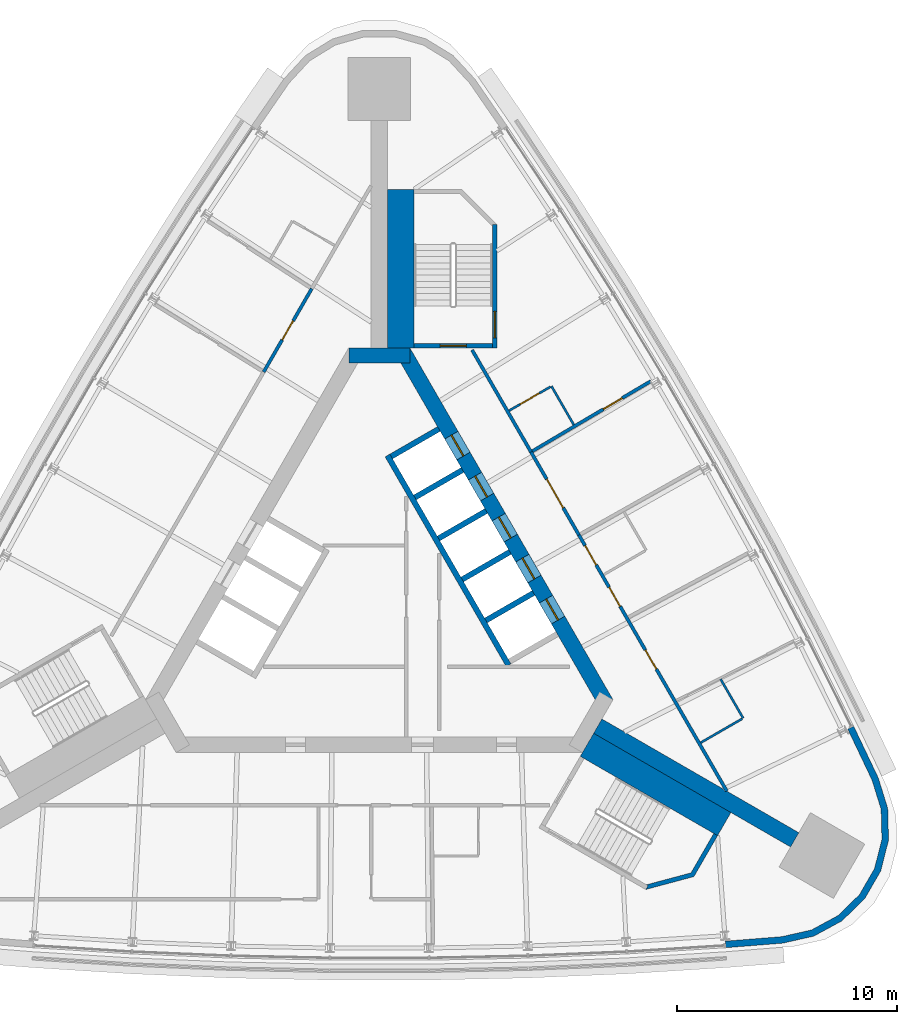
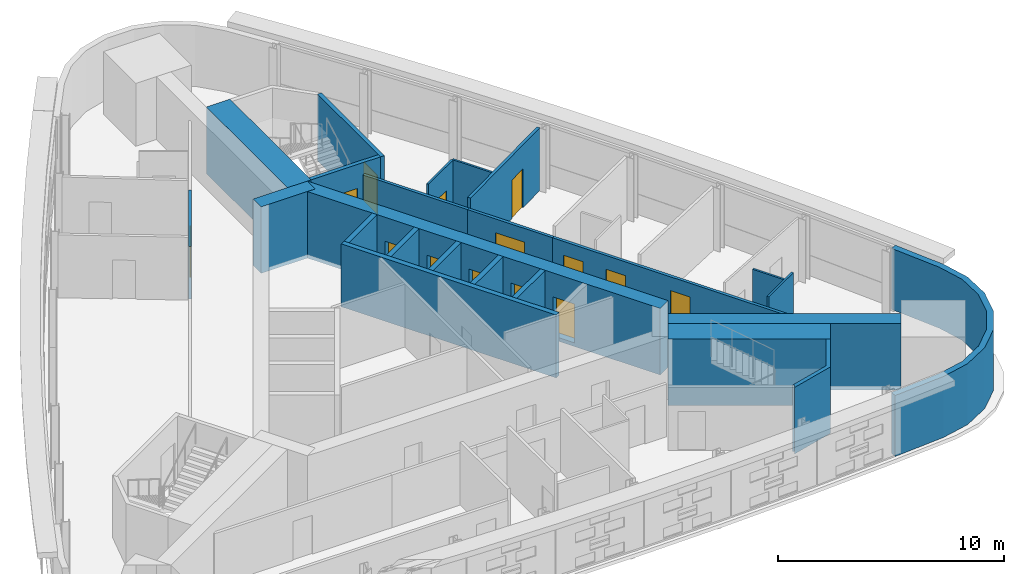
# One storey, part 9 of 12: 24 walls, 14 doors, 14 openings.
"""IFC4 building model written with IfcOpenShell, lengths in metres."""

from ifc_helpers import new_model, si_unit, direction, frame, frame_2d, origin, place, context, subcontext, project, spatial, polyline, rectangle, outline, extrude, material, layer, layer_set, type_object, element, fill, save


model = new_model("IFC4")

# Units and contexts
model_context = context("Model", 3, precision=1e-05, world=origin(), true_north=direction((0.0, 1.0)))
body_context = subcontext(model_context, "Body", "Model", "MODEL_VIEW")
ifc_project = project(units=[si_unit("LENGTHUNIT", "METRE"), si_unit("AREAUNIT", "SQUARE_METRE"), si_unit("VOLUMEUNIT", "CUBIC_METRE"), si_unit("PLANEANGLEUNIT", "RADIAN"), si_unit("MASSUNIT", "GRAM", prefix="KILO")], contexts=[model_context])

# Site, building, storey
site_placement = place(None, origin())
site = spatial("IfcSite", under=ifc_project, at=site_placement, CompositionType="ELEMENT")
building_placement = place(site_placement, origin())
building = spatial("IfcBuilding", under=site, at=building_placement, Name="Noor Cloister Tower", CompositionType="ELEMENT")
storey_placement = place(building_placement, frame((0.0, 0.0, 158.10009765625)))
storey = spatial("IfcBuildingStorey", under=building, at=storey_placement, Name="L40", CompositionType="ELEMENT", Elevation=158.10009765625)

# Wall
ifc_material_1 = material(Name="Concrete C70/85", Category="concrete")
ifc_layer_1 = layer(ifc_material_1, 0.75)
ifc_layer_set_1 = layer_set([ifc_layer_1], Name="Buttress wall 750 C70/85")
wall_type_1 = type_object("IfcWallType", Name="Buttress wall 750 C70/85", PredefinedType="SHEAR", material=ifc_layer_set_1)
wall_1_placement = place(storey_placement, frame((9.921630859375, -5.728271484375, -0.2001953125), z_axis=(0.0, 0.0, 1.0), x_axis=(0.866025410072, -0.499999989109, 0.0)))
element("IfcWall", 1, at=wall_1_placement, inside=storey, type_object=wall_type_1, Name="Buttress wall SE L40", PredefinedType="SHEAR", context=body_context, shape_type="SweptSolid", body=[
    extrude(rectangle(XDim=10.33056640625, YDim=0.75, at=frame_2d((5.165283203125, 0.0))), origin(), (0.0, 0.0, 1.0), 3.60009765625),
])

# Wall, openings, doors
ifc_material_2 = material(Name="Concrete C70/85", Category="concrete")
ifc_layer_2 = layer(ifc_material_2, 0.699951171875)
ifc_layer_set_2 = layer_set([ifc_layer_2], Name="Core wall 700 C70/85")
wall_type_2 = type_object("IfcWallType", Name="Core wall 700 C70/85", PredefinedType="SHEAR", material=ifc_layer_set_2)
wall_2_placement = place(storey_placement, frame((10.311279296875, -4.703125, -0.2001953125), z_axis=(0.0, 0.0, 1.0), x_axis=(-0.500001446645, 0.866024568562, 0.0)))
wall_2 = element("IfcWall", 2, at=wall_2_placement, inside=storey, type_object=wall_type_2, Name="Core wall L40 3", PredefinedType="SHEAR", context=body_context, shape_type="SweptSolid", body=[
    extrude(rectangle(XDim=18.45751953125, YDim=0.699951171875, at=frame_2d((9.228759765625, 0.0))), origin(), (0.0, 0.0, 1.0), 3.60009765625),
])
opening_1_placement = place(wall_2_placement, frame((4.378662109375, 0.0, 0.199951171875)))
opening_1 = element("IfcOpeningElement", 3, at=opening_1_placement, cuts=wall_2, Name="Opening L40-HR1", PredefinedType="OPENING", context=body_context, shape_type="SweptSolid", body=[
    extrude(rectangle(XDim=1.10009765625, YDim=2.10009765625, at=frame_2d((0.550048828125, 1.050048828125))), frame((0.0, 0.35986328125, 0.0), z_axis=(0.0, -1.0, 0.0), x_axis=(1.0, 0.0, 0.0)), (0.0, 0.0, 1.0), 0.719970703125),
])
opening_2_placement = place(wall_2_placement, frame((6.52880859375, 0.0, 0.199951171875)))
opening_2 = element("IfcOpeningElement", 4, at=opening_2_placement, cuts=wall_2, Name="Opening L40-HR2", PredefinedType="OPENING", context=body_context, shape_type="SweptSolid", body=[
    extrude(rectangle(XDim=1.10009765625, YDim=2.10009765625, at=frame_2d((0.550048828125, 1.050048828125))), frame((0.0, 0.35986328125, 0.0), z_axis=(0.0, -1.0, 0.0), x_axis=(1.0, 0.0, 0.0)), (0.0, 0.0, 1.0), 0.719970703125),
])
opening_3_placement = place(wall_2_placement, frame((8.6787109375, 0.0, 0.199951171875)))
opening_3 = element("IfcOpeningElement", 5, at=opening_3_placement, cuts=wall_2, Name="Opening L40-HR3", PredefinedType="OPENING", context=body_context, shape_type="SweptSolid", body=[
    extrude(rectangle(XDim=1.10009765625, YDim=2.10009765625, at=frame_2d((0.550048828125, 1.050048828125))), frame((0.0, 0.35986328125, 0.0), z_axis=(0.0, -1.0, 0.0), x_axis=(1.0, 0.0, 0.0)), (0.0, 0.0, 1.0), 0.719970703125),
])
opening_4_placement = place(wall_2_placement, frame((10.82861328125, 0.0, 0.199951171875)))
opening_4 = element("IfcOpeningElement", 6, at=opening_4_placement, cuts=wall_2, Name="Opening L40-HR4", PredefinedType="OPENING", context=body_context, shape_type="SweptSolid", body=[
    extrude(rectangle(XDim=1.10009765625, YDim=2.10009765625, at=frame_2d((0.550048828125, 1.050048828125))), frame((0.0, 0.35986328125, 0.0), z_axis=(0.0, -1.0, 0.0), x_axis=(1.0, 0.0, 0.0)), (0.0, 0.0, 1.0), 0.719970703125),
])
opening_5_placement = place(wall_2_placement, frame((12.978759765625, 0.0, 0.199951171875)))
opening_5 = element("IfcOpeningElement", 7, at=opening_5_placement, cuts=wall_2, Name="Opening L40-HR5", PredefinedType="OPENING", context=body_context, shape_type="SweptSolid", body=[
    extrude(rectangle(XDim=1.10009765625, YDim=2.10009765625, at=frame_2d((0.550048828125, 1.050048828125))), frame((0.0, 0.35986328125, 0.0), z_axis=(0.0, -1.0, 0.0), x_axis=(1.0, 0.0, 0.0)), (0.0, 0.0, 1.0), 0.719970703125),
])
ifc_material_3 = material(Name="Stainless steel", Category="steel")
door_type_1 = type_object("IfcDoorType", Name="Lift landing door 1100 x 2100", OperationType="DOUBLE_DOOR_SLIDING", PredefinedType="DOOR", material=ifc_material_3)
door_1_placement = place(opening_1_placement, origin())
door_1 = element("IfcDoor", 8, at=door_1_placement, inside=storey, type_object=door_type_1, Name="Landing door HR1 L40", OperationType="DOUBLE_DOOR_SLIDING", OverallHeight=2.10009765625, OverallWidth=1.10009765625, PredefinedType="DOOR", context=body_context, shape_type="SweptSolid", body=[
    extrude(rectangle(XDim=1.10009765625, YDim=2.10009765625, at=frame_2d((0.550048828125, 1.050048828125))), frame((0.0, 0.02490234375, 0.0), z_axis=(0.0, -1.0, 0.0), x_axis=(1.0, 0.0, 0.0)), (0.0, 0.0, 1.0), 0.050048828125),
])
fill(opening_1, door_1)
door_2_placement = place(opening_2_placement, origin())
door_2 = element("IfcDoor", 9, at=door_2_placement, inside=storey, type_object=door_type_1, Name="Landing door HR2 L40", OperationType="DOUBLE_DOOR_SLIDING", OverallHeight=2.10009765625, OverallWidth=1.10009765625, PredefinedType="DOOR", context=body_context, shape_type="SweptSolid", body=[
    extrude(rectangle(XDim=1.10009765625, YDim=2.10009765625, at=frame_2d((0.550048828125, 1.050048828125))), frame((0.0, 0.02490234375, 0.0), z_axis=(0.0, -1.0, 0.0), x_axis=(1.0, 0.0, 0.0)), (0.0, 0.0, 1.0), 0.050048828125),
])
fill(opening_2, door_2)
door_3_placement = place(opening_3_placement, origin())
door_3 = element("IfcDoor", 10, at=door_3_placement, inside=storey, type_object=door_type_1, Name="Landing door HR3 L40", OperationType="DOUBLE_DOOR_SLIDING", OverallHeight=2.10009765625, OverallWidth=1.10009765625, PredefinedType="DOOR", context=body_context, shape_type="SweptSolid", body=[
    extrude(rectangle(XDim=1.10009765625, YDim=2.10009765625, at=frame_2d((0.550048828125, 1.050048828125))), frame((0.0, 0.02490234375, 0.0), z_axis=(0.0, -1.0, 0.0), x_axis=(1.0, 0.0, 0.0)), (0.0, 0.0, 1.0), 0.050048828125),
])
fill(opening_3, door_3)
door_4_placement = place(opening_4_placement, origin())
door_4 = element("IfcDoor", 11, at=door_4_placement, inside=storey, type_object=door_type_1, Name="Landing door HR4 L40", OperationType="DOUBLE_DOOR_SLIDING", OverallHeight=2.10009765625, OverallWidth=1.10009765625, PredefinedType="DOOR", context=body_context, shape_type="SweptSolid", body=[
    extrude(rectangle(XDim=1.10009765625, YDim=2.10009765625, at=frame_2d((0.550048828125, 1.050048828125))), frame((0.0, 0.02490234375, 0.0), z_axis=(0.0, -1.0, 0.0), x_axis=(1.0, 0.0, 0.0)), (0.0, 0.0, 1.0), 0.050048828125),
])
fill(opening_4, door_4)
door_5_placement = place(opening_5_placement, origin())
door_5 = element("IfcDoor", 12, at=door_5_placement, inside=storey, type_object=door_type_1, Name="Landing door HR5 L40", OperationType="DOUBLE_DOOR_SLIDING", OverallHeight=2.10009765625, OverallWidth=1.10009765625, PredefinedType="DOOR", context=body_context, shape_type="SweptSolid", body=[
    extrude(rectangle(XDim=1.10009765625, YDim=2.10009765625, at=frame_2d((0.550048828125, 1.050048828125))), frame((0.0, 0.02490234375, 0.0), z_axis=(0.0, -1.0, 0.0), x_axis=(1.0, 0.0, 0.0)), (0.0, 0.0, 1.0), 0.050048828125),
])
fill(opening_5, door_5)

# Wall
wall_3_placement = place(storey_placement, frame((1.3857421875, 11.1064453125, -0.2001953125), z_axis=(0.0, 0.0, 1.0), x_axis=(-1.0, 0.0, 0.0)))
element("IfcWall", 13, at=wall_3_placement, inside=storey, type_object=wall_type_2, Name="Core wall L40 4", PredefinedType="SHEAR", context=body_context, shape_type="SweptSolid", body=[
    extrude(rectangle(XDim=2.771484375, YDim=0.699951171875, at=frame_2d((1.3857421875, 0.0))), origin(), (0.0, 0.0, 1.0), 3.60009765625),
])

# Wall, opening, door
ifc_material_4 = material(Name="Fire-rated gypsum board partition on steel studs, 150 mm", Category="steel")
ifc_layer_3 = layer(ifc_material_4, 0.14990234375)
ifc_layer_set_3 = layer_set([ifc_layer_3], Name="Fire lobby wall 150")
wall_type_3 = type_object("IfcWallType", Name="Fire lobby wall 150", PredefinedType="PARTITIONING", material=ifc_layer_set_3)
wall_4_placement = place(storey_placement, frame((-3.06884765625, 14.140869140625, 0.0), z_axis=(0.0, 0.0, 1.0), x_axis=(-0.500015937133, -0.866016202281, 0.0)))
wall_4 = element("IfcWall", 14, at=wall_4_placement, inside=storey, type_object=wall_type_3, Name="Wall L40-W28", PredefinedType="PARTITIONING", context=body_context, shape_type="SweptSolid", body=[
    extrude(rectangle(XDim=4.368408203125, YDim=0.14990234375, at=frame_2d((2.18408203125, 0.0))), origin(), (0.0, 0.0, 1.0), 2.846923828125),
])
opening_6_placement = place(wall_4_placement, frame((1.684326171875, 0.0, 0.0)))
opening_6 = element("IfcOpeningElement", 15, at=opening_6_placement, cuts=wall_4, Name="Opening L40-016", PredefinedType="OPENING", context=body_context, shape_type="SweptSolid", body=[
    extrude(rectangle(XDim=1.0, YDim=2.10009765625, at=frame_2d((0.5, 1.050048828125))), frame((0.0, 0.0849609375, 0.0), z_axis=(0.0, -1.0, 0.0), x_axis=(1.0, 0.0, 0.0)), (0.0, 0.0, 1.0), 0.169921875),
])
ifc_material_5 = material(Name="Timber door leaf with steel frame", Category="steel")
door_type_2 = type_object("IfcDoorType", Name="Fire lobby door 1000", OperationType="NOTDEFINED", PredefinedType="DOOR", material=ifc_material_5)
door_6_placement = place(opening_6_placement, origin())
door_6 = element("IfcDoor", 16, at=door_6_placement, inside=storey, type_object=door_type_2, Name="Door L40-016", OperationType="SINGLE_SWING_RIGHT", OverallHeight=2.10009765625, OverallWidth=1.0, PredefinedType="DOOR", context=body_context, shape_type="SweptSolid", body=[
    extrude(rectangle(XDim=1.0, YDim=2.10009765625, at=frame_2d((0.5, 1.050048828125))), frame((0.0, 0.02490234375, 0.0), z_axis=(0.0, -1.0, 0.0), x_axis=(1.0, 0.0, 0.0)), (0.0, 0.0, 1.0), 0.050048828125),
])
fill(opening_6, door_6)

# Wall, openings, doors
ifc_material_6 = material(Name="Gypsum board partition on steel studs, 150 mm", Category="steel")
ifc_layer_4 = layer(ifc_material_6, 0.14990234375)
ifc_layer_set_4 = layer_set([ifc_layer_4], Name="Flat wall 150")
wall_type_4 = type_object("IfcWallType", Name="Flat wall 150", PredefinedType="PARTITIONING", material=ifc_layer_set_4)
wall_5_placement = place(storey_placement, frame((15.781982421875, -8.6787109375, 0.0), z_axis=(0.0, 0.0, 1.0), x_axis=(-0.499998343211, 0.86602636033, 0.0)))
wall_5 = element("IfcWall", 17, at=wall_5_placement, inside=storey, type_object=wall_type_4, Name="Wall L40-W01", PredefinedType="PARTITIONING", context=body_context, shape_type="SweptSolid", body=[
    extrude(rectangle(XDim=13.4306640625, YDim=0.14990234375, at=frame_2d((6.71533203125, 0.0))), origin(), (0.0, 0.0, 1.0), 2.846923828125),
])
opening_7_placement = place(wall_5_placement, frame((6.39599609375, 0.0, 0.0)))
opening_7 = element("IfcOpeningElement", 18, at=opening_7_placement, cuts=wall_5, Name="Opening L40-004", PredefinedType="OPENING", context=body_context, shape_type="SweptSolid", body=[
    extrude(rectangle(XDim=1.0, YDim=2.10009765625, at=frame_2d((0.5, 1.050048828125))), frame((0.0, 0.0849609375, 0.0), z_axis=(0.0, -1.0, 0.0), x_axis=(1.0, 0.0, 0.0)), (0.0, 0.0, 1.0), 0.169921875),
])
opening_8_placement = place(wall_5_placement, frame((11.86865234375, 0.0, 0.0)))
opening_8 = element("IfcOpeningElement", 19, at=opening_8_placement, cuts=wall_5, Name="Opening L40-005", PredefinedType="OPENING", context=body_context, shape_type="SweptSolid", body=[
    extrude(rectangle(XDim=1.0, YDim=2.10009765625, at=frame_2d((0.5, 1.050048828125))), frame((0.0, 0.0849609375, 0.0), z_axis=(0.0, -1.0, 0.0), x_axis=(1.0, 0.0, 0.0)), (0.0, 0.0, 1.0), 0.169921875),
])
opening_9_placement = place(wall_5_placement, frame((9.69140625, 0.0, 0.0)))
opening_9 = element("IfcOpeningElement", 20, at=opening_9_placement, cuts=wall_5, Name="Opening L40-006", PredefinedType="OPENING", context=body_context, shape_type="SweptSolid", body=[
    extrude(rectangle(XDim=1.0, YDim=2.10009765625, at=frame_2d((0.5, 1.050048828125))), frame((0.0, 0.0849609375, 0.0), z_axis=(0.0, -1.0, 0.0), x_axis=(1.0, 0.0, 0.0)), (0.0, 0.0, 1.0), 0.169921875),
])
ifc_material_7 = material(Name="Timber door leaf with steel frame", Category="steel")
door_type_3 = type_object("IfcDoorType", Name="Accessible WC door 1000", OperationType="NOTDEFINED", PredefinedType="DOOR", material=ifc_material_7)
door_7_placement = place(opening_8_placement, origin())
door_7 = element("IfcDoor", 21, at=door_7_placement, inside=storey, type_object=door_type_3, Name="Door L40-005", OperationType="SINGLE_SWING_LEFT", OverallHeight=2.10009765625, OverallWidth=1.0, PredefinedType="DOOR", context=body_context, shape_type="SweptSolid", body=[
    extrude(rectangle(XDim=1.0, YDim=2.10009765625, at=frame_2d((0.5, 1.050048828125))), frame((0.0, 0.02490234375, 0.0), z_axis=(0.0, -1.0, 0.0), x_axis=(1.0, 0.0, 0.0)), (0.0, 0.0, 1.0), 0.050048828125),
])
fill(opening_8, door_7)
ifc_material_8 = material(Name="Timber door leaf with steel frame", Category="steel")
door_type_4 = type_object("IfcDoorType", Name="Flat entrance door 1000", OperationType="NOTDEFINED", PredefinedType="DOOR", material=ifc_material_8)
door_8_placement = place(opening_7_placement, origin())
door_8 = element("IfcDoor", 22, at=door_8_placement, inside=storey, type_object=door_type_4, Name="Door L40-004", OperationType="SINGLE_SWING_RIGHT", OverallHeight=2.10009765625, OverallWidth=1.0, PredefinedType="DOOR", context=body_context, shape_type="SweptSolid", body=[
    extrude(rectangle(XDim=1.0, YDim=2.10009765625, at=frame_2d((0.5, 1.050048828125))), frame((0.0, 0.02490234375, 0.0), z_axis=(0.0, -1.0, 0.0), x_axis=(1.0, 0.0, 0.0)), (0.0, 0.0, 1.0), 0.050048828125),
])
fill(opening_7, door_8)
ifc_material_9 = material(Name="Timber door leaf with steel frame", Category="steel")
door_type_5 = type_object("IfcDoorType", Name="Interior door 1000 FD60", OperationType="NOTDEFINED", PredefinedType="DOOR", material=ifc_material_9)
door_9_placement = place(opening_9_placement, origin())
door_9 = element("IfcDoor", 23, at=door_9_placement, inside=storey, type_object=door_type_5, Name="Door L40-006", OperationType="SINGLE_SWING_RIGHT", OverallHeight=2.10009765625, OverallWidth=1.0, PredefinedType="DOOR", context=body_context, shape_type="SweptSolid", body=[
    extrude(rectangle(XDim=1.0, YDim=2.10009765625, at=frame_2d((0.5, 1.050048828125))), frame((0.0, 0.02490234375, 0.0), z_axis=(0.0, -1.0, 0.0), x_axis=(1.0, 0.0, 0.0)), (0.0, 0.0, 1.0), 0.050048828125),
])
fill(opening_9, door_9)

# Wall
wall_6_placement = place(storey_placement, frame((6.890380859375, 6.72216796875, 0.0), z_axis=(0.0, 0.0, 1.0), x_axis=(-0.500025224267, 0.866010840057, 0.0)))
element("IfcWall", 24, at=wall_6_placement, inside=storey, type_object=wall_type_4, Name="Wall L40-W02", PredefinedType="PARTITIONING", context=body_context, shape_type="SweptSolid", body=[
    extrude(rectangle(XDim=5.351318359375, YDim=0.14990234375, at=frame_2d((2.67578125, 0.0))), origin(), (0.0, 0.0, 1.0), 2.846923828125),
])

# Wall, opening, door
wall_7_placement = place(storey_placement, frame((12.3359375, 9.942626953125, 0.0), z_axis=(0.0, 0.0, 1.0), x_axis=(-0.860742216303, -0.509041095663, 0.0)))
wall_7 = element("IfcWall", 25, at=wall_7_placement, inside=storey, type_object=wall_type_4, Name="Wall L40-W04", PredefinedType="PARTITIONING", context=body_context, shape_type="SweptSolid", body=[
    extrude(rectangle(XDim=6.251708984375, YDim=0.14990234375, at=frame_2d((3.1259765625, 0.0))), origin(), (0.0, 0.0, 1.0), 3.39990234375),
])
opening_10_placement = place(wall_7_placement, frame((1.51318359375, 0.0, 0.0)))
opening_10 = element("IfcOpeningElement", 26, at=opening_10_placement, cuts=wall_7, Name="Opening L40-008", PredefinedType="OPENING", context=body_context, shape_type="SweptSolid", body=[
    extrude(rectangle(XDim=1.0, YDim=2.10009765625, at=frame_2d((0.5, 1.050048828125))), frame((0.0, 0.0849609375, 0.0), z_axis=(0.0, -1.0, 0.0), x_axis=(1.0, 0.0, 0.0)), (0.0, 0.0, 1.0), 0.169921875),
])
door_10_placement = place(opening_10_placement, origin())
door_10 = element("IfcDoor", 27, at=door_10_placement, inside=storey, type_object=door_type_4, Name="Door L40-008", OperationType="SINGLE_SWING_RIGHT", OverallHeight=2.10009765625, OverallWidth=1.0, PredefinedType="DOOR", context=body_context, shape_type="SweptSolid", body=[
    extrude(rectangle(XDim=1.0, YDim=2.10009765625, at=frame_2d((0.5, 1.050048828125))), frame((0.0, 0.02490234375, 0.0), z_axis=(0.0, -1.0, 0.0), x_axis=(1.0, 0.0, 0.0)), (0.0, 0.0, 1.0), 0.050048828125),
])
fill(opening_10, door_10)

wall_8_placement = place(storey_placement, frame((9.066650390625, 2.95263671875, 0.0), z_axis=(0.0, 0.0, 1.0), x_axis=(-0.499987877897, 0.866032402371, 0.0)))
wall_8 = element("IfcWall", 28, at=wall_8_placement, inside=storey, type_object=wall_type_4, Name="Wall L40-W05", PredefinedType="PARTITIONING", context=body_context, shape_type="SweptSolid", body=[
    extrude(rectangle(XDim=4.3525390625, YDim=0.14990234375, at=frame_2d((2.17626953125, 0.0))), origin(), (0.0, 0.0, 1.0), 2.846923828125),
])
opening_11_placement = place(wall_8_placement, frame((1.42626953125, 0.0, 0.0)))
opening_11 = element("IfcOpeningElement", 29, at=opening_11_placement, cuts=wall_8, Name="Opening L40-001", PredefinedType="OPENING", context=body_context, shape_type="SweptSolid", body=[
    extrude(rectangle(XDim=1.5, YDim=2.10009765625, at=frame_2d((0.75, 1.050048828125))), frame((0.0, 0.0849609375, 0.0), z_axis=(0.0, -1.0, 0.0), x_axis=(1.0, 0.0, 0.0)), (0.0, 0.0, 1.0), 0.169921875),
])
ifc_material_10 = material(Name="Timber door leaf with steel frame", Category="steel")
door_type_6 = type_object("IfcDoorType", Name="Double door 1500 FD60", OperationType="NOTDEFINED", PredefinedType="DOOR", material=ifc_material_10)
door_11_placement = place(opening_11_placement, origin())
door_11 = element("IfcDoor", 30, at=door_11_placement, inside=storey, type_object=door_type_6, Name="Door L40-001", OperationType="DOUBLE_DOOR_SINGLE_SWING", OverallHeight=2.10009765625, OverallWidth=1.5, PredefinedType="DOOR", context=body_context, shape_type="SweptSolid", body=[
    extrude(rectangle(XDim=1.5, YDim=2.10009765625, at=frame_2d((0.75, 1.050048828125))), frame((0.0, 0.02490234375, 0.0), z_axis=(0.0, -1.0, 0.0), x_axis=(1.0, 0.0, 0.0)), (0.0, 0.0, 1.0), 0.050048828125),
])
fill(opening_11, door_11)

# Walls
ifc_material_11 = material(Name="Limestone", Category="masonry")
ifc_layer_5 = layer(ifc_material_11, 0.300048828125)
ifc_layer_set_5 = layer_set([ifc_layer_5], Name="Limestone cladding 300")
wall_type_5 = type_object("IfcWallType", Name="Limestone cladding 300", PredefinedType="NOTDEFINED", material=ifc_layer_set_5)
wall_9_placement = place(storey_placement, origin())
element("IfcWall", 31, at=wall_9_placement, inside=storey, type_object=wall_type_5, Name="Limestone pier cladding L40 2.1", PredefinedType="NOTDEFINED", context=body_context, shape_type="SweptSolid", body=[
    extrude(outline(polyline([(15.73583984375, -15.79345703125), (18.326904296875, -15.58740234375), (19.739013671875, -15.267333984375), (21.011474609375, -14.576171875), (22.048583984375, -13.565673828125), (22.772705078125, -12.311767578125), (23.129150390625, -10.908447265625), (23.091552734375, -9.4609375), (22.66259765625, -8.077880859375), (21.54541015625, -5.73095703125), (21.274658203125, -5.85986328125), (22.38232421875, -8.187255859375), (22.792724609375, -9.510009765625), (22.828125, -10.874755859375), (22.491943359375, -12.19775390625), (21.8095703125, -13.3798828125), (20.831787109375, -14.33251953125), (19.63232421875, -14.984130859375), (18.281494140625, -15.2900390625), (15.712158203125, -15.494384765625), (15.73583984375, -15.79345703125)])), origin(), (0.0, 0.0, 1.0), 3.2998046875),
])
ifc_material_12 = material(Name="Gypsum board partition on steel studs, 100 mm", Category="steel")
ifc_layer_6 = layer(ifc_material_12, 0.10009765625)
ifc_layer_set_6 = layer_set([ifc_layer_6], Name="Partition 100")
wall_type_6 = type_object("IfcWallType", Name="Partition 100", PredefinedType="PARTITIONING", material=ifc_layer_set_6)
wall_10_placement = place(storey_placement, frame((15.5009765625, -3.59228515625, 0.0), z_axis=(0.0, 0.0, 1.0), x_axis=(0.500097020274, -0.865969381856, 0.0)))
element("IfcWall", 32, at=wall_10_placement, inside=storey, type_object=wall_type_6, Name="Wall L40-W07", PredefinedType="PARTITIONING", context=body_context, shape_type="SweptSolid", body=[
    extrude(rectangle(XDim=2.0498046875, YDim=0.10009765625, at=frame_2d((1.02490234375, 0.0))), origin(), (0.0, 0.0, 1.0), 2.846923828125),
])
wall_11_placement = place(storey_placement, frame((16.482666015625, -5.392578125, 0.0), z_axis=(0.0, 0.0, 1.0), x_axis=(-0.866037911478, -0.499978335414, 0.0)))
element("IfcWall", 33, at=wall_11_placement, inside=storey, type_object=wall_type_6, Name="Wall L40-W08", PredefinedType="PARTITIONING", context=body_context, shape_type="SweptSolid", body=[
    extrude(rectangle(XDim=2.1748046875, YDim=0.10009765625, at=frame_2d((1.08740234375, 0.0))), origin(), (0.0, 0.0, 1.0), 3.39990234375),
])
wall_12_placement = place(storey_placement, frame((8.83251953125, 7.957763671875, 0.0), z_axis=(0.0, 0.0, 1.0), x_axis=(-0.499938124251, 0.866061124818, 0.0)))
element("IfcWall", 34, at=wall_12_placement, inside=storey, type_object=wall_type_6, Name="Wall L40-W12", PredefinedType="PARTITIONING", context=body_context, shape_type="SweptSolid", body=[
    extrude(rectangle(XDim=2.025146484375, YDim=0.10009765625, at=frame_2d((1.0126953125, 0.0))), origin(), (0.0, 0.0, 1.0), 3.39990234375),
])

# Wall, opening, door
wall_13_placement = place(storey_placement, frame((7.77685546875, 9.6865234375, 0.0), z_axis=(0.0, 0.0, 1.0), x_axis=(-0.866037911478, -0.499978335414, 0.0)))
wall_13 = element("IfcWall", 35, at=wall_13_placement, inside=storey, type_object=wall_type_6, Name="Wall L40-W13", PredefinedType="PARTITIONING", context=body_context, shape_type="SweptSolid", body=[
    extrude(rectangle(XDim=2.1748046875, YDim=0.10009765625, at=frame_2d((1.08740234375, 0.0))), origin(), (0.0, 0.0, 1.0), 3.39990234375),
])
opening_12_placement = place(wall_13_placement, frame((0.60009765625, 0.0, 0.0)))
opening_12 = element("IfcOpeningElement", 36, at=opening_12_placement, cuts=wall_13, Name="Opening L40-007", PredefinedType="OPENING", context=body_context, shape_type="SweptSolid", body=[
    extrude(rectangle(XDim=1.0, YDim=2.10009765625, at=frame_2d((0.5, 1.050048828125))), frame((0.0, 0.06005859375, 0.0), z_axis=(0.0, -1.0, 0.0), x_axis=(1.0, 0.0, 0.0)), (0.0, 0.0, 1.0), 0.1201171875),
])
ifc_material_13 = material(Name="Timber door leaf with steel frame", Category="steel")
door_type_7 = type_object("IfcDoorType", Name="Interior door 1000", OperationType="NOTDEFINED", PredefinedType="DOOR", material=ifc_material_13)
door_12_placement = place(opening_12_placement, origin())
door_12 = element("IfcDoor", 37, at=door_12_placement, inside=storey, type_object=door_type_7, Name="Door L40-007", OperationType="SINGLE_SWING_LEFT", OverallHeight=2.10009765625, OverallWidth=1.0, PredefinedType="DOOR", context=body_context, shape_type="SweptSolid", body=[
    extrude(rectangle(XDim=1.0, YDim=2.10009765625, at=frame_2d((0.5, 1.050048828125))), frame((0.0, 0.02490234375, 0.0), z_axis=(0.0, -1.0, 0.0), x_axis=(1.0, 0.0, 0.0)), (0.0, 0.0, 1.0), 0.050048828125),
])
fill(opening_12, door_12)

# Walls
ifc_material_14 = material(Name="Concrete C70/85", Category="concrete")
ifc_layer_7 = layer(ifc_material_14, 0.25)
ifc_layer_set_7 = layer_set([ifc_layer_7], Name="Shaft wall 250 C70/85")
wall_type_7 = type_object("IfcWallType", Name="Shaft wall 250 C70/85", PredefinedType="PARTITIONING", material=ifc_layer_set_7)
wall_14_placement = place(storey_placement, frame((7.00634765625, 0.3212890625, -0.2001953125), z_axis=(0.0, 0.0, 1.0), x_axis=(-0.866022959057, -0.500004234368, 0.0)))
element("IfcWall", 38, at=wall_14_placement, inside=storey, type_object=wall_type_7, Name="Lift shaft wall L40 NE 2", PredefinedType="PARTITIONING", context=body_context, shape_type="SweptSolid", body=[
    extrude(rectangle(XDim=2.5, YDim=0.25, at=frame_2d((1.25, 0.0))), origin(), (0.0, 0.0, 1.0), 3.60009765625),
])
wall_15_placement = place(storey_placement, frame((5.931396484375, 2.18310546875, -0.2001953125), z_axis=(0.0, 0.0, 1.0), x_axis=(-0.866047370643, -0.499961950354, 0.0)))
element("IfcWall", 39, at=wall_15_placement, inside=storey, type_object=wall_type_7, Name="Lift shaft wall L40 NE 3", PredefinedType="PARTITIONING", context=body_context, shape_type="SweptSolid", body=[
    extrude(rectangle(XDim=2.500244140625, YDim=0.25, at=frame_2d((1.25, 0.0))), origin(), (0.0, 0.0, 1.0), 3.60009765625),
])
for number, where, z_axis, x_axis, name in (
    (40, (4.856201171875, 4.045166015625, -0.2001953125), (0.0, 0.0, 1.0), (-0.866022959057, -0.500004234368, 0.0), "Lift shaft wall L40 NE 4"),
    (41, (3.78125, 5.906982421875, -0.2001953125), (0.0, 0.0, 1.0), (-0.866022959057, -0.500004234368, 0.0), "Lift shaft wall L40 NE 5"),
    (42, (2.706298828125, 7.76904296875, -0.2001953125), (0.0, 0.0, 1.0), (-0.866022959057, -0.500004234368, 0.0), "Lift shaft wall L40 NE 6"),
):
    element("IfcWall", number, at=place(storey_placement, frame(where, z_axis=z_axis, x_axis=x_axis)), inside=storey, type_object=wall_type_7, Name=name, PredefinedType="PARTITIONING", context=body_context, shape_type="SweptSolid", body=[
        extrude(rectangle(XDim=2.5, YDim=0.25, at=frame_2d((1.25, 0.0))), origin(), (0.0, 0.0, 1.0), 3.60009765625),
    ])
wall_16_placement = place(storey_placement, frame((5.870361328125, -2.96142578125, 0.0), z_axis=(0.0, 0.0, 1.0), x_axis=(-0.50000615651, 0.866021849293, 0.0)))
element("IfcWall", 43, at=wall_16_placement, inside=storey, type_object=wall_type_7, Name="Lift shaft back wall L40 NE", PredefinedType="PARTITIONING", context=body_context, shape_type="SweptSolid", body=[
    extrude(rectangle(XDim=10.999755859375, YDim=0.25, at=frame_2d((5.5, 0.0))), origin(), (0.0, 0.0, 1.0), 3.39990234375),
])
ifc_material_15 = material(Name="Concrete C70/85", Category="concrete")
ifc_layer_8 = layer(ifc_material_15, 1.2109375)
ifc_layer_set_8 = layer_set([ifc_layer_8], Name="Stair enclosure wall 1211 C70/85")
wall_type_8 = type_object("IfcWallType", Name="Stair enclosure wall 1211 C70/85", PredefinedType="SHEAR", material=ifc_layer_set_8)
wall_17_placement = place(storey_placement, frame((0.980224609375, 11.456298828125, -0.2001953125), z_axis=(0.0, 0.0, 1.0), x_axis=(0.0, 1.0, 0.0)))
element("IfcWall", 44, at=wall_17_placement, inside=storey, type_object=wall_type_8, Name="Stair enclosure wall ST1 L40 riser side", PredefinedType="SHEAR", context=body_context, shape_type="SweptSolid", body=[
    extrude(rectangle(XDim=7.2001953125, YDim=1.210693359375, at=frame_2d((3.60009765625, 0.0))), origin(), (0.0, 0.0, 1.0), 3.60009765625),
])
wall_18_placement = place(storey_placement, frame((9.431396484375, -6.5771484375, -0.2001953125), z_axis=(0.0, 0.0, 1.0), x_axis=(0.866018442252, -0.500012057535, 0.0)))
element("IfcWall", 45, at=wall_18_placement, inside=storey, type_object=wall_type_8, Name="Stair enclosure wall ST3 L40 riser side", PredefinedType="SHEAR", context=body_context, shape_type="SweptSolid", body=[
    extrude(rectangle(XDim=7.199951171875, YDim=1.210693359375, at=frame_2d((3.60009765625, 0.0))), origin(), (0.0, 0.0, 1.0), 3.60009765625),
])

# Wall, opening, door
ifc_material_16 = material(Name="Concrete C70/85", Category="concrete")
ifc_layer_9 = layer(ifc_material_16, 0.199951171875)
ifc_layer_set_9 = layer_set([ifc_layer_9], Name="Stair enclosure wall 200 C70/85")
wall_type_9 = type_object("IfcWallType", Name="Stair enclosure wall 200 C70/85", PredefinedType="SHEAR", material=ifc_layer_set_9)
wall_19_placement = place(storey_placement, frame((5.135498046875, 11.556396484375, -0.2001953125), z_axis=(0.0, 0.0, 1.0), x_axis=(-1.0, 0.0, 0.0)))
wall_19 = element("IfcWall", 46, at=wall_19_placement, inside=storey, type_object=wall_type_9, Name="Stair enclosure wall ST1 L40 near end", PredefinedType="SHEAR", context=body_context, shape_type="SweptSolid", body=[
    extrude(rectangle(XDim=3.5498046875, YDim=0.199951171875, at=frame_2d((1.77490234375, 0.0))), origin(), (0.0, 0.0, 1.0), 3.60009765625),
])
opening_13_placement = place(wall_19_placement, frame((1.175048828125, 0.0, 0.199951171875)))
opening_13 = element("IfcOpeningElement", 47, at=opening_13_placement, cuts=wall_19, Name="Opening L40-ST1L", PredefinedType="OPENING", context=body_context, shape_type="SweptSolid", body=[
    extrude(rectangle(XDim=1.199951171875, YDim=2.10009765625, at=frame_2d((0.60009765625, 1.050048828125))), frame((0.0, 0.10986328125, 0.0), z_axis=(0.0, -1.0, 0.0), x_axis=(1.0, 0.0, 0.0)), (0.0, 0.0, 1.0), 0.219970703125),
])
ifc_material_17 = material(Name="Steel", Category="steel")
door_type_8 = type_object("IfcDoorType", Name="Stair door 1200 x 2100 FD120", OperationType="SINGLE_SWING_LEFT", PredefinedType="DOOR", material=ifc_material_17)
door_13_placement = place(opening_13_placement, origin())
door_13 = element("IfcDoor", 48, at=door_13_placement, inside=storey, type_object=door_type_8, Name="Stair door ST1 L40", OperationType="SINGLE_SWING_RIGHT", OverallHeight=2.10009765625, OverallWidth=1.199951171875, PredefinedType="DOOR", context=body_context, shape_type="SweptSolid", body=[
    extrude(rectangle(XDim=1.199951171875, YDim=2.10009765625, at=frame_2d((0.60009765625, 1.050048828125))), frame((0.0, 0.02490234375, 0.0), z_axis=(0.0, -1.0, 0.0), x_axis=(1.0, 0.0, 0.0)), (0.0, 0.0, 1.0), 0.050048828125),
])
fill(opening_13, door_13)

wall_20_placement = place(storey_placement, frame((5.235595703125, 11.456298828125, -0.2001953125), z_axis=(0.0, 0.0, 1.0), x_axis=(0.0, 1.0, 0.0)))
wall_20 = element("IfcWall", 49, at=wall_20_placement, inside=storey, type_object=wall_type_9, Name="Stair enclosure wall ST1 L40 outer side", PredefinedType="SHEAR", context=body_context, shape_type="SweptSolid", body=[
    extrude(rectangle(XDim=5.60009765625, YDim=0.199951171875, at=frame_2d((2.800048828125, 0.0))), origin(), (0.0, 0.0, 1.0), 3.60009765625),
])
opening_14_placement = place(wall_20_placement, frame((0.449951171875, 0.0, 0.199951171875)))
opening_14 = element("IfcOpeningElement", 50, at=opening_14_placement, cuts=wall_20, Name="Opening L40-ST1C", PredefinedType="OPENING", context=body_context, shape_type="SweptSolid", body=[
    extrude(rectangle(XDim=1.199951171875, YDim=2.10009765625, at=frame_2d((0.60009765625, 1.050048828125))), frame((0.0, 0.10986328125, 0.0), z_axis=(0.0, -1.0, 0.0), x_axis=(1.0, 0.0, 0.0)), (0.0, 0.0, 1.0), 0.219970703125),
])
door_14_placement = place(opening_14_placement, origin())
door_14 = element("IfcDoor", 51, at=door_14_placement, inside=storey, type_object=door_type_8, Name="Stair door ST1 L40", OperationType="SINGLE_SWING_LEFT", OverallHeight=2.10009765625, OverallWidth=1.199951171875, PredefinedType="DOOR", context=body_context, shape_type="SweptSolid", body=[
    extrude(rectangle(XDim=1.199951171875, YDim=2.10009765625, at=frame_2d((0.60009765625, 1.050048828125))), frame((0.0, 0.02490234375, 0.0), z_axis=(0.0, -1.0, 0.0), x_axis=(1.0, 0.0, 0.0)), (0.0, 0.0, 1.0), 0.050048828125),
])
fill(opening_14, door_14)

# Wall
ifc_material_18 = material(Name="Concrete C70/85", Category="concrete")
wall_type_10 = type_object("IfcWallType", Name="Stair far end wall C70/85", PredefinedType="SHEAR", material=ifc_material_18)
wall_21_placement = place(storey_placement, frame((0.0, 0.0, -0.2001953125)))
element("IfcWall", 52, at=wall_21_placement, inside=storey, type_object=wall_type_10, Name="Stair enclosure wall ST3 L40 far end", PredefinedType="SHEAR", context=body_context, shape_type="SweptSolid", body=[
    extrude(outline(polyline([(12.103515625, -13.14892578125), (14.2890625, -12.5634765625), (15.364013671875, -10.701416015625), (15.19091796875, -10.601318359375), (14.1572265625, -12.3916015625), (12.131591796875, -12.934326171875), (12.20361328125, -12.975830078125), (12.20361328125, -12.975830078125), (12.20361328125, -12.975830078125), (12.20361328125, -12.975830078125), (12.20361328125, -12.975830078125), (12.20361328125, -12.975830078125), (12.20361328125, -12.975830078125), (12.20361328125, -12.975830078125), (12.20361328125, -12.975830078125), (12.20361328125, -12.975830078125), (12.20361328125, -12.975830078125), (12.20361328125, -12.975830078125), (12.20361328125, -12.975830078125), (12.20361328125, -12.975830078125), (12.20361328125, -12.975830078125), (12.20361328125, -12.975830078125), (12.20361328125, -12.975830078125), (12.103515625, -13.14892578125)])), origin(), (0.0, 0.0, 1.0), 3.60009765625),
])

save(model, "model.ifc")
